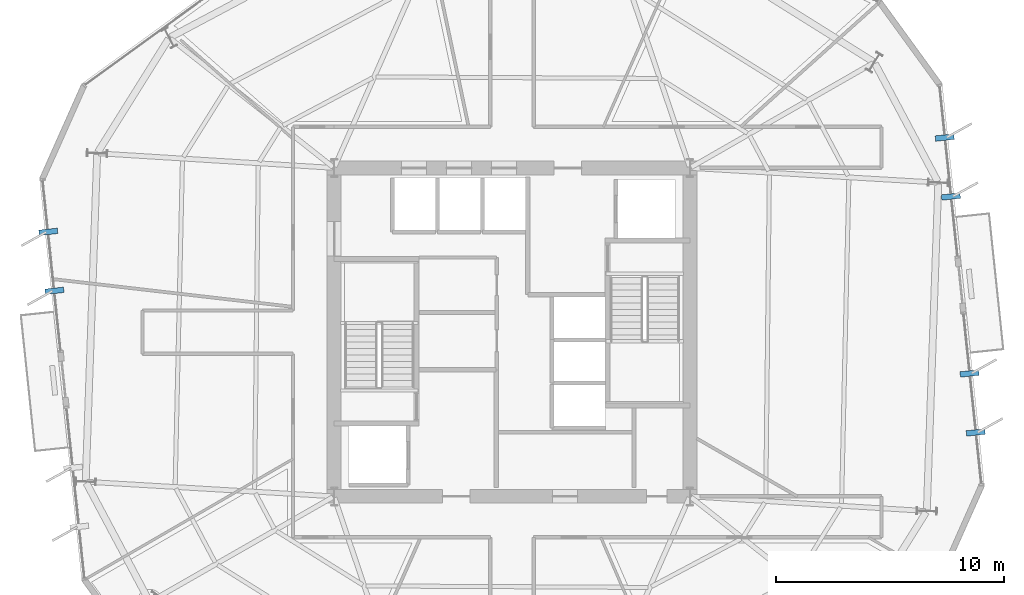
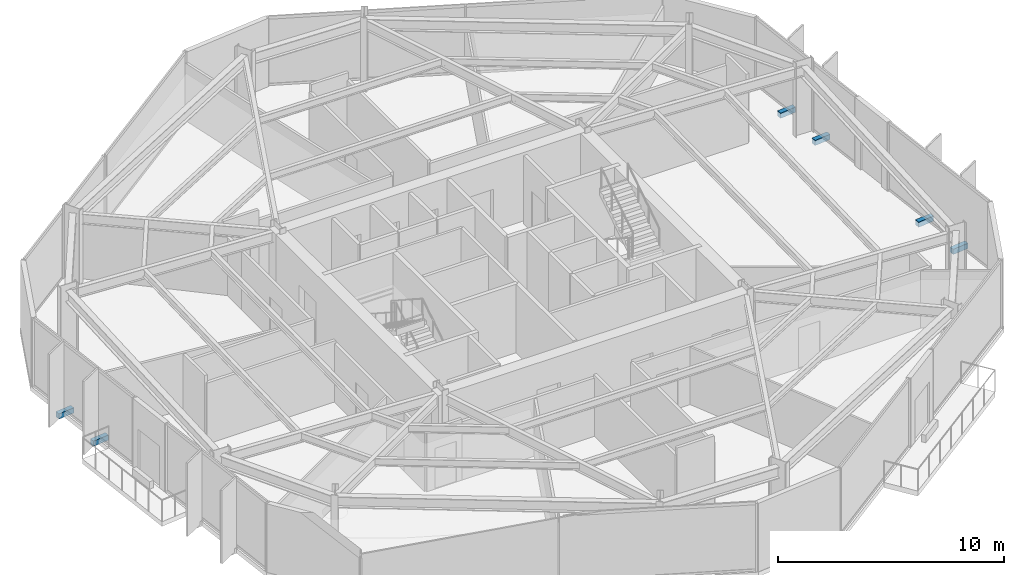
# One storey, part 9 of 12: 6 discrete accessories.
"""IFC4 building model written with IfcOpenShell, lengths in metres."""

import ifcopenshell
import ifcopenshell.guid

model = None  # the IFC model being written
_history = None  # IfcOwnerHistory: only IFC2X3 demands one
_inside = {}  # id of a spatial element -> (the spatial element, [elements in it])
_under = {}  # id of a project, library or spatial element -> (it, [spatial elements below it])
_declared = {}  # id of a project -> (the project, [libraries it declares])
_typed = {}  # id of a type object -> (the type object, [elements of that type])
_made_of = {}  # id of a material, layer set ... -> (it, [elements and type objects made of it])


def new_model(schema):
    """Start an empty IFC model of exactly this schema.

    Asked for "IFC4X3", IfcOpenShell would pick the latest addendum, in which some entities
    have other attributes; the version numbers below select the first issue.
    IFC2X3 requires an IfcOwnerHistory on every rooted entity: one is made here for all.
    """
    global model, _history
    if schema == "IFC4X3":
        model = ifcopenshell.file(schema_version=(4, 3, 0, 0))
    else:
        model = ifcopenshell.file(schema=schema)
    _inside.clear()
    _under.clear()
    _declared.clear()
    _typed.clear()
    _made_of.clear()
    _history = None
    if model.schema == "IFC2X3":
        org = make("IfcOrganization", Name="unknown")
        user = make(
            "IfcPersonAndOrganization",
            ThePerson=make("IfcPerson", FamilyName="unknown"),
            TheOrganization=org,
        )
        app = make(
            "IfcApplication",
            ApplicationDeveloper=org,
            Version="unknown",
            ApplicationFullName="unknown",
            ApplicationIdentifier="unknown",
        )
        _history = make(
            "IfcOwnerHistory",
            OwningUser=user,
            OwningApplication=app,
            ChangeAction="ADDED",
            CreationDate=0,
        )
    return model


def make(cls, **values):
    """One entity of the class cls with the attributes given. An attribute that is None is left unset."""
    return model.create_entity(
        cls, **{name: value for name, value in values.items() if value is not None}
    )


def rooted(cls, **values):
    """An entity with a GlobalId (a new one), such as an element, a storey or a relation."""
    return make(cls, GlobalId=ifcopenshell.guid.new(), OwnerHistory=_history, **values)


def si_unit(unit_type, name, prefix=None):
    """IfcSIUnit, for example si_unit("LENGTHUNIT", "METRE", prefix="MILLI")."""
    return make("IfcSIUnit", UnitType=unit_type, Prefix=prefix, Name=name)


def assignment(units):
    """IfcUnitAssignment: the units of a project."""
    return None if units is None else make("IfcUnitAssignment", Units=units)


def point(xyz):
    """IfcCartesianPoint."""
    return None if xyz is None else make("IfcCartesianPoint", Coordinates=xyz)


def direction(xyz):
    """IfcDirection."""
    return None if xyz is None else make("IfcDirection", DirectionRatios=xyz)


def frame(location, z_axis=None, x_axis=None):
    """IfcAxis2Placement3D, a coordinate frame: its origin and axes. An axis left out is left unset."""
    return make(
        "IfcAxis2Placement3D",
        Location=point(location),
        Axis=direction(z_axis),
        RefDirection=direction(x_axis),
    )


def frame_2d(location, x_axis=None):
    """IfcAxis2Placement2D, a coordinate frame in the plane: its origin and x axis."""
    return make(
        "IfcAxis2Placement2D", Location=point(location), RefDirection=direction(x_axis)
    )


def origin():
    """The frame at (0, 0, 0) with its axes left unset."""
    return frame((0.0, 0.0, 0.0))


def origin_2d():
    """The frame at (0, 0) in the plane with its x axis left unset."""
    return frame_2d((0.0, 0.0))


def place(relative_to, where):
    """IfcLocalPlacement: puts the frame where relative to a parent placement (None: the world)."""
    return make(
        "IfcLocalPlacement", PlacementRelTo=relative_to, RelativePlacement=where
    )


def context(
    kind, dimensions, precision=None, world=None, true_north=None, identifier=None
):
    """IfcGeometricRepresentationContext, for example the 3D "Model" context."""
    return make(
        "IfcGeometricRepresentationContext",
        ContextIdentifier=identifier,
        ContextType=kind,
        CoordinateSpaceDimension=dimensions,
        Precision=precision,
        WorldCoordinateSystem=world,
        TrueNorth=true_north,
    )


def subcontext(parent, identifier, kind, view, scale=None):
    """IfcGeometricRepresentationSubContext, for example "Body" below "Model"."""
    return make(
        "IfcGeometricRepresentationSubContext",
        ContextIdentifier=identifier,
        ContextType=kind,
        ParentContext=parent,
        TargetScale=scale,
        TargetView=view,
    )


def project(units=None, contexts=None):
    """IfcProject with its units and contexts."""
    return rooted(
        "IfcProject",
        Name="project",
        RepresentationContexts=contexts,
        UnitsInContext=assignment(units),
    )


def spatial(cls, under=None, at=None, **own):
    """A site, building, storey or space (cls), placed at a placement, below another one or the project."""
    s = rooted(cls, ObjectPlacement=at, **own)
    if under is not None:
        _under.setdefault(under.id(), (under, []))[1].append(s)
    return s


def profile(cls, at=None, kind="AREA", **sizes):
    """A parametric profile (cls). Its sizes go by their IFC names, for example OverallWidth=200.0."""
    return make(cls, ProfileType=kind, Position=at, **sizes)


def rectangle(**sizes):
    """IfcRectangleProfileDef."""
    return profile("IfcRectangleProfileDef", **sizes)


def extrude(swept, where, along, depth):
    """IfcExtrudedAreaSolid: the profile swept, set in the frame where, extruded along a direction by depth."""
    return make(
        "IfcExtrudedAreaSolid",
        SweptArea=swept,
        Position=where,
        ExtrudedDirection=direction(along),
        Depth=depth,
    )


def shape(context_of_items, identifier, shape_type, items):
    """IfcShapeRepresentation: the items that make up one representation, for example the "Body"."""
    return make(
        "IfcShapeRepresentation",
        ContextOfItems=context_of_items,
        RepresentationIdentifier=identifier,
        RepresentationType=shape_type,
        Items=items,
    )


def material(Name=None, Category=None):
    """IfcMaterial."""
    return make("IfcMaterial", Name=Name, Category=Category)


def made_of(thing, what):
    """Note that an element or type object is made of a material, layer set ...; save() writes the relation."""
    if what is not None:
        _made_of.setdefault(what.id(), (what, []))[1].append(thing)
    return thing


def type_object(cls, material=None, **own):
    """A type object (cls), such as IfcWallType, which elements share."""
    return made_of(rooted(cls, **own), material)


def element(
    cls,
    number,
    at=None,
    inside=None,
    cuts=None,
    type_object=None,
    material=None,
    context=None,
    identifier="Body",
    shape_type=None,
    held_by="IfcProductDefinitionShape",
    body=None,
    shapes=None,
    **own,
):
    """One element of the class cls, such as IfcWall. Its Tag is "e" and its number.

    at: its placement. inside: the storey or other place that contains it. cuts: it is an
    opening in that element (IfcRelVoidsElement). A single representation is given by context,
    identifier, shape_type and body (its items); several are given by shapes. held_by: the class
    of the entity that holds the representations. save() writes the other relations.
    """
    e = rooted(cls, Tag="e%d" % number, ObjectPlacement=at, **own)
    if body is not None:
        shapes = [shape(context, identifier, shape_type, body)]
    if shapes is not None:
        e.Representation = make(held_by, Representations=shapes)
    if inside is not None:
        _inside.setdefault(inside.id(), (inside, []))[1].append(e)
    if cuts is not None:
        rooted(
            "IfcRelVoidsElement", RelatingBuildingElement=cuts, RelatedOpeningElement=e
        )
    if type_object is not None:
        _typed.setdefault(type_object.id(), (type_object, []))[1].append(e)
    return made_of(e, material)


def aggregate(whole, parts):
    """IfcRelAggregates: a whole, such as a stair, and the parts it consists of."""
    return rooted("IfcRelAggregates", RelatingObject=whole, RelatedObjects=parts)


def save(model, path):
    """Write the relations noted so far, then the file.

    IfcRelAggregates (storeys below a building ...), IfcRelContainedInSpatialStructure (elements
    in a storey), IfcRelDefinesByType, IfcRelAssociatesMaterial and IfcRelDeclares: one each for
    every whole, place, type object, material and project.
    """
    for whole, parts in _under.values():
        aggregate(whole, parts)
    for where, things in _inside.values():
        rooted(
            "IfcRelContainedInSpatialStructure",
            RelatedElements=things,
            RelatingStructure=where,
        )
    for kind, things in _typed.values():
        rooted("IfcRelDefinesByType", RelatedObjects=things, RelatingType=kind)
    for what, things in _made_of.values():
        rooted("IfcRelAssociatesMaterial", RelatedObjects=things, RelatingMaterial=what)
    for by, libraries in _declared.values():
        rooted("IfcRelDeclares", RelatingContext=by, RelatedDefinitions=libraries)
    model.write(path)


model = new_model("IFC4")

# Units and contexts
model_context = context("Model", 3, precision=1e-05, world=origin(), true_north=direction((0.0, 1.0)))
body_context = subcontext(model_context, "Body", "Model", "MODEL_VIEW")
ifc_project = project(units=[si_unit("LENGTHUNIT", "METRE"), si_unit("AREAUNIT", "SQUARE_METRE"), si_unit("VOLUMEUNIT", "CUBIC_METRE"), si_unit("PLANEANGLEUNIT", "RADIAN"), si_unit("MASSUNIT", "GRAM", prefix="KILO")], contexts=[model_context])

# Site, building, storey
site_placement = place(None, origin())
site = spatial("IfcSite", under=ifc_project, at=site_placement, CompositionType="ELEMENT")
building_placement = place(site_placement, origin())
building = spatial("IfcBuilding", under=site, at=building_placement, Name="Kranzbogen Civic Tower", CompositionType="ELEMENT")
storey_placement = place(building_placement, frame((0.0, 0.0, 166.39990234375)))
storey = spatial("IfcBuildingStorey", under=building, at=storey_placement, Name="L40", CompositionType="ELEMENT", Elevation=166.39990234375)

# Discrete accessories
ifc_material = material(Name="Steel S355", Category="steel")
discrete_accessory_type = type_object("IfcDiscreteAccessoryType", Name="Structural Curtain-Wall Fin Support Bracket", PredefinedType="BRACKET", material=ifc_material)
for number, where, z_axis, x_axis, name in (
    (1, (4.6689453125, 29.39892578125, -0.25), (0.0, 0.0, 1.0), (-0.994521895368, -0.104528463268, 0.0), "L40 facade fin support bracket F3-1"),
    (2, (4.94091796875, 26.81298828125, -0.25), (0.0, 0.0, 1.0), (-0.994521895368, -0.104528463268, 0.0), "L40 facade fin support bracket F3-2"),
    (3, (45.3310546875, 20.60107421875, -0.25), (0.0, 0.0, 1.0), (0.994521895368, 0.104528463268, 0.0), "L40 facade fin support bracket F6-1"),
    (4, (45.05908203125, 23.18701171875, -0.25), (0.0, 0.0, 1.0), (0.994521895368, 0.104528463268, 0.0), "L40 facade fin support bracket F6-2"),
    (5, (44.243896484375, 30.945068359375, -0.25), (0.0, 0.0, 1.0), (0.994521895368, 0.104528463268, 0.0), "L40 facade fin support bracket F6-5"),
    (6, (43.972900390625, 33.530029296875, -0.25), (0.0, 0.0, 1.0), (0.994521895368, 0.104528463268, 0.0), "L40 facade fin support bracket F6-6"),
):
    element("IfcDiscreteAccessory", number, at=place(storey_placement, frame(where, z_axis=z_axis, x_axis=x_axis)), inside=storey, type_object=discrete_accessory_type, Name=name, PredefinedType="BRACKET", context=body_context, shape_type="SweptSolid", body=[
        extrude(rectangle(XDim=0.820068359375, YDim=0.239990234375, at=origin_2d()), origin(), (0.0, 0.0, 1.0), 0.280029296875),
    ])

save(model, "model.ifc")
